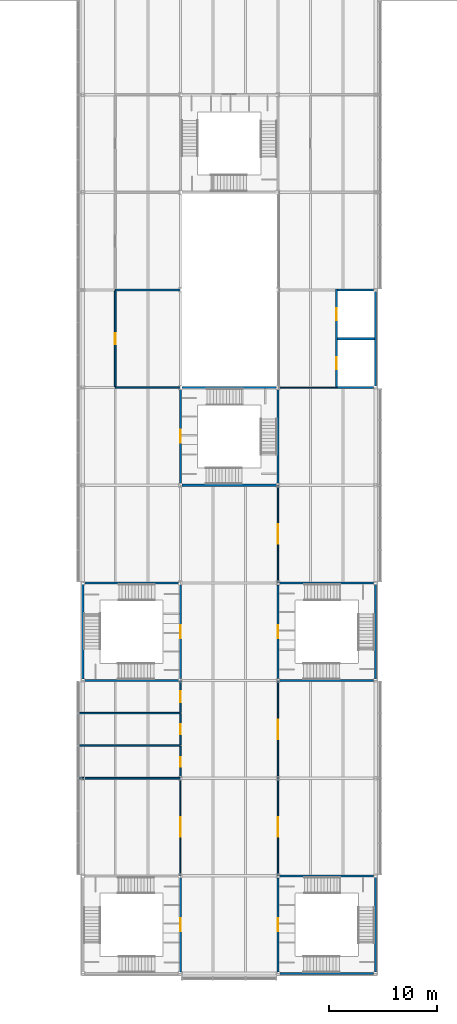
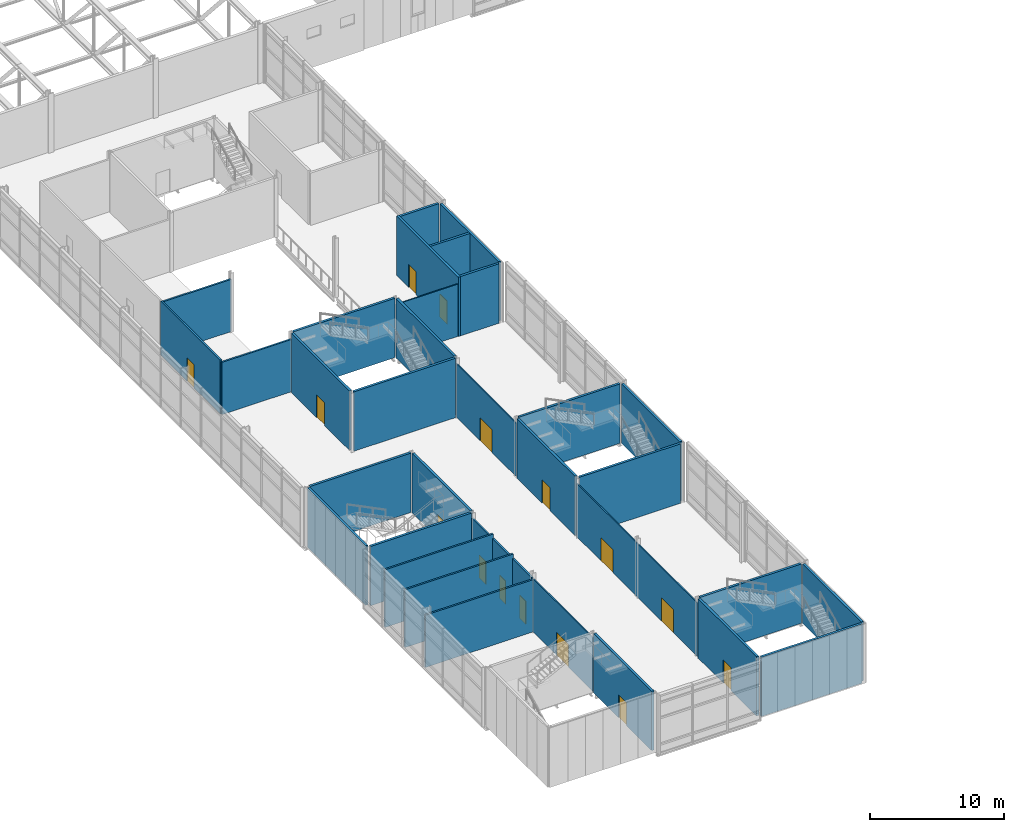
# One storey, part 36 of 53: 35 walls, 15 doors, 15 openings.
"""IFC4 building model written with IfcOpenShell, lengths in metres."""

from ifc_helpers import new_model, si_unit, direction, frame, frame_2d, origin, place, context, subcontext, project, spatial, rectangle, extrude, material, layer, layer_set, type_object, element, fill, save


model = new_model("IFC4")

# Units and contexts
model_context = context("Model", 3, precision=1e-05, world=origin(), true_north=direction((0.0, 1.0)))
body_context = subcontext(model_context, "Body", "Model", "MODEL_VIEW")
ifc_project = project(units=[si_unit("LENGTHUNIT", "METRE"), si_unit("AREAUNIT", "SQUARE_METRE"), si_unit("VOLUMEUNIT", "CUBIC_METRE"), si_unit("PLANEANGLEUNIT", "RADIAN"), si_unit("MASSUNIT", "GRAM", prefix="KILO")], contexts=[model_context])

# Site, building, storey
site_placement = place(None, origin())
site = spatial("IfcSite", under=ifc_project, at=site_placement, CompositionType="ELEMENT")
building_placement = place(site_placement, origin())
building = spatial("IfcBuilding", under=site, at=building_placement, Name="Azimuth Sports and Learning Centre", CompositionType="ELEMENT")
storey_placement = place(building_placement, frame((0.0, 0.0, 10.800048828125)))
storey = spatial("IfcBuildingStorey", under=building, at=storey_placement, Name="L02", CompositionType="ELEMENT", Elevation=10.800048828125)

# Walls
ifc_material_1 = material(Name="Dense masonry blockwork", Category="masonry")
ifc_layer_1 = layer(ifc_material_1, 0.199951171875)
ifc_layer_set_1 = layer_set([ifc_layer_1], Name="Dense masonry blockwork")
wall_type_1 = type_object("IfcWallType", Name="Blockwork wall 200 EI 120", PredefinedType="SOLIDWALL", material=ifc_layer_set_1)
wall_1_placement = place(storey_placement, frame((95.5, 58.5, 0.0), z_axis=(0.0, 0.0, 1.0), x_axis=(1.0, 0.0, 0.0)))
element("IfcWall", 1, at=wall_1_placement, inside=storey, type_object=wall_type_1, Name="SD-STL-1-L02", PredefinedType="SOLIDWALL", context=body_context, shape_type="SweptSolid", body=[
    extrude(rectangle(XDim=3.39990234375, YDim=0.199951171875, at=frame_2d((1.699951171875, 0.0))), origin(), (0.0, 0.0, 1.0), 5.39990234375),
])
ifc_material_2 = material(Name="Gypsum board on steel studs", Category="steel")
ifc_layer_2 = layer(ifc_material_2, 0.10009765625)
ifc_layer_set_2 = layer_set([ifc_layer_2], Name="Gypsum board on steel studs")
wall_type_2 = type_object("IfcWallType", Name="Partition 100 EI 30", PredefinedType="PARTITIONING", material=ifc_layer_set_2)
wall_2_placement = place(storey_placement, frame((90.0, 54.0, 0.0), z_axis=(0.0, 0.0, 1.0), x_axis=(1.0, 0.0, 0.0)))
element("IfcWall", 2, at=wall_2_placement, inside=storey, type_object=wall_type_2, Name="Partition 100 EI 30", PredefinedType="PARTITIONING", context=body_context, shape_type="SweptSolid", body=[
    extrude(rectangle(XDim=5.39990234375, YDim=0.10009765625, at=frame_2d((2.699951171875, 0.0))), origin(), (0.0, 0.0, 1.0), 4.75),
])

# Wall, opening, door
wall_3_placement = place(storey_placement, frame((81.0, 9.0, 0.0), z_axis=(0.0, 0.0, 1.0), x_axis=(0.0, 1.0, 0.0)))
wall_3 = element("IfcWall", 3, at=wall_3_placement, inside=storey, type_object=wall_type_2, Name="Partition 100 EI 30", PredefinedType="PARTITIONING", context=body_context, shape_type="SweptSolid", body=[
    extrude(rectangle(XDim=8.925048828125, YDim=0.10009765625, at=frame_2d((4.46240234375, 0.0))), origin(), (0.0, 0.0, 1.0), 4.849853515625),
])
opening_1_placement = place(wall_3_placement, frame((3.60009765625, 0.0, 0.0)))
opening_1 = element("IfcOpeningElement", 4, at=opening_1_placement, cuts=wall_3, Name="Opening D02-051", PredefinedType="OPENING", context=body_context, shape_type="SweptSolid", body=[
    extrude(rectangle(XDim=1.800048828125, YDim=2.10009765625, at=frame_2d((0.89990234375, 1.050048828125))), frame((0.0, 0.06103515625, 0.0), z_axis=(0.0, -1.0, 0.0), x_axis=(1.0, 0.0, 0.0)), (0.0, 0.0, 1.0), 0.1220703125),
])
ifc_material_3 = material(Name="Timber fire door set", Category="wood")
door_type_1 = type_object("IfcDoorType", Name="Timber door double 1800x2100 FD30S", OperationType="DOUBLE_DOOR_SINGLE_SWING", PredefinedType="DOOR", material=ifc_material_3)
door_1_placement = place(opening_1_placement, origin())
door_1 = element("IfcDoor", 5, at=door_1_placement, inside=storey, type_object=door_type_1, Name="Door D02-051", OperationType="DOUBLE_DOOR_SINGLE_SWING", OverallHeight=2.10009765625, OverallWidth=1.800048828125, PredefinedType="DOOR", context=body_context, shape_type="SweptSolid", body=[
    extrude(rectangle(XDim=1.800048828125, YDim=2.10009765625, at=frame_2d((0.89990234375, 1.050048828125))), frame((0.0, 0.02490234375, 0.0), z_axis=(0.0, -1.0, 0.0), x_axis=(1.0, 0.0, 0.0)), (0.0, 0.0, 1.0), 0.050048828125),
])
fill(opening_1, door_1)

# Wall, openings, doors
wall_4_placement = place(storey_placement, frame((90.0, 9.0, 0.0), z_axis=(0.0, 0.0, 1.0), x_axis=(0.0, 1.0, 0.0)))
wall_4 = element("IfcWall", 6, at=wall_4_placement, inside=storey, type_object=wall_type_2, Name="Partition 100 EI 30", PredefinedType="PARTITIONING", context=body_context, shape_type="SweptSolid", body=[
    extrude(rectangle(XDim=18.0, YDim=0.10009765625, at=frame_2d((9.0, 0.0))), origin(), (0.0, 0.0, 1.0), 4.849853515625),
])
opening_2_placement = place(wall_4_placement, frame((3.60009765625, 0.0, 0.0)))
opening_2 = element("IfcOpeningElement", 7, at=opening_2_placement, cuts=wall_4, Name="Opening D02-052", PredefinedType="OPENING", context=body_context, shape_type="SweptSolid", body=[
    extrude(rectangle(XDim=1.800048828125, YDim=2.10009765625, at=frame_2d((0.89990234375, 1.050048828125))), frame((0.0, 0.06103515625, 0.0), z_axis=(0.0, -1.0, 0.0), x_axis=(1.0, 0.0, 0.0)), (0.0, 0.0, 1.0), 0.1220703125),
])
opening_3_placement = place(wall_4_placement, frame((12.60009765625, 0.0, 0.0)))
opening_3 = element("IfcOpeningElement", 8, at=opening_3_placement, cuts=wall_4, Name="Opening D02-053", PredefinedType="OPENING", context=body_context, shape_type="SweptSolid", body=[
    extrude(rectangle(XDim=1.800048828125, YDim=2.10009765625, at=frame_2d((0.89990234375, 1.050048828125))), frame((0.0, 0.06103515625, 0.0), z_axis=(0.0, -1.0, 0.0), x_axis=(1.0, 0.0, 0.0)), (0.0, 0.0, 1.0), 0.1220703125),
])
door_2_placement = place(opening_2_placement, frame((1.800048828125, 0.0, 0.0), z_axis=(0.0, 0.0, 1.0), x_axis=(-1.0, 0.0, 0.0)))
door_2 = element("IfcDoor", 9, at=door_2_placement, inside=storey, type_object=door_type_1, Name="Door D02-052", OperationType="DOUBLE_DOOR_SINGLE_SWING", OverallHeight=2.10009765625, OverallWidth=1.800048828125, PredefinedType="DOOR", context=body_context, shape_type="SweptSolid", body=[
    extrude(rectangle(XDim=1.800048828125, YDim=2.10009765625, at=frame_2d((0.89990234375, 1.050048828125))), frame((0.0, 0.02490234375, 0.0), z_axis=(0.0, -1.0, 0.0), x_axis=(1.0, 0.0, 0.0)), (0.0, 0.0, 1.0), 0.050048828125),
])
fill(opening_2, door_2)
door_3_placement = place(opening_3_placement, frame((1.800048828125, 0.0, 0.0), z_axis=(0.0, 0.0, 1.0), x_axis=(-1.0, 0.0, 0.0)))
door_3 = element("IfcDoor", 10, at=door_3_placement, inside=storey, type_object=door_type_1, Name="Door D02-053", OperationType="DOUBLE_DOOR_SINGLE_SWING", OverallHeight=2.10009765625, OverallWidth=1.800048828125, PredefinedType="DOOR", context=body_context, shape_type="SweptSolid", body=[
    extrude(rectangle(XDim=1.800048828125, YDim=2.10009765625, at=frame_2d((0.89990234375, 1.050048828125))), frame((0.0, 0.02490234375, 0.0), z_axis=(0.0, -1.0, 0.0), x_axis=(1.0, 0.0, 0.0)), (0.0, 0.0, 1.0), 0.050048828125),
])
fill(opening_3, door_3)

# Wall, opening, door
wall_5_placement = place(storey_placement, frame((90.0, 36.0, 0.0), z_axis=(0.0, 0.0, 1.0), x_axis=(0.0, 1.0, 0.0)))
wall_5 = element("IfcWall", 11, at=wall_5_placement, inside=storey, type_object=wall_type_2, Name="Partition 100 EI 30", PredefinedType="PARTITIONING", context=body_context, shape_type="SweptSolid", body=[
    extrude(rectangle(XDim=9.0, YDim=0.10009765625, at=frame_2d((4.5, 0.0))), origin(), (0.0, 0.0, 1.0), 4.849853515625),
])
opening_4_placement = place(wall_5_placement, frame((3.60009765625, 0.0, 0.0)))
opening_4 = element("IfcOpeningElement", 12, at=opening_4_placement, cuts=wall_5, Name="Opening D02-054", PredefinedType="OPENING", context=body_context, shape_type="SweptSolid", body=[
    extrude(rectangle(XDim=1.800048828125, YDim=2.10009765625, at=frame_2d((0.89990234375, 1.050048828125))), frame((0.0, 0.06103515625, 0.0), z_axis=(0.0, -1.0, 0.0), x_axis=(1.0, 0.0, 0.0)), (0.0, 0.0, 1.0), 0.1220703125),
])
door_4_placement = place(opening_4_placement, frame((1.800048828125, 0.0, 0.0), z_axis=(0.0, 0.0, 1.0), x_axis=(-1.0, 0.0, 0.0)))
door_4 = element("IfcDoor", 13, at=door_4_placement, inside=storey, type_object=door_type_1, Name="Door D02-054", OperationType="DOUBLE_DOOR_SINGLE_SWING", OverallHeight=2.10009765625, OverallWidth=1.800048828125, PredefinedType="DOOR", context=body_context, shape_type="SweptSolid", body=[
    extrude(rectangle(XDim=1.800048828125, YDim=2.10009765625, at=frame_2d((0.89990234375, 1.050048828125))), frame((0.0, 0.02490234375, 0.0), z_axis=(0.0, -1.0, 0.0), x_axis=(1.0, 0.0, 0.0)), (0.0, 0.0, 1.0), 0.050048828125),
])
fill(opening_4, door_4)

# Walls
ifc_material_4 = material(Name="Lightweight blockwork, rendered", Category="masonry")
ifc_layer_3 = layer(ifc_material_4, 0.14990234375)
ifc_layer_set_3 = layer_set([ifc_layer_3], Name="Lightweight blockwork, rendered")
wall_type_3 = type_object("IfcWallType", Name="Partition 150 EI 60", PredefinedType="PARTITIONING", material=ifc_layer_set_3)
wall_6_placement = place(storey_placement, frame((71.699951171875, 18.0, 0.0), z_axis=(0.0, 0.0, 1.0), x_axis=(1.0, 0.0, 0.0)))
element("IfcWall", 14, at=wall_6_placement, inside=storey, type_object=wall_type_3, Name="Partition 150 EI 60", PredefinedType="PARTITIONING", context=body_context, shape_type="SweptSolid", body=[
    extrude(rectangle(XDim=9.300048828125, YDim=0.14990234375, at=frame_2d((4.64990234375, 0.0))), origin(), (0.0, 0.0, 1.0), 4.75),
])
for number, where, z_axis, x_axis, name in (
    (15, (71.699951171875, 21.0, 0.0), (0.0, 0.0, 1.0), (1.0, 0.0, 0.0), "Partition 150 EI 60"),
    (16, (71.699951171875, 24.0, 0.0), (0.0, 0.0, 1.0), (1.0, 0.0, 0.0), "Partition 150 EI 60"),
):
    element("IfcWall", number, at=place(storey_placement, frame(where, z_axis=z_axis, x_axis=x_axis)), inside=storey, type_object=wall_type_3, Name=name, PredefinedType="PARTITIONING", context=body_context, shape_type="SweptSolid", body=[
        extrude(rectangle(XDim=9.300048828125, YDim=0.14990234375, at=frame_2d((4.64990234375, 0.0))), origin(), (0.0, 0.0, 1.0), 5.25),
    ])
for number, where, z_axis, x_axis, name in (
    (17, (75.0, 54.0, 0.0), (0.0, 0.0, 1.0), (1.0, 0.0, 0.0), "Partition 150 EI 60"),
    (18, (75.0, 63.0, 0.0), (0.0, 0.0, 1.0), (1.0, 0.0, 0.0), "Partition 150 EI 60"),
):
    element("IfcWall", number, at=place(storey_placement, frame(where, z_axis=z_axis, x_axis=x_axis)), inside=storey, type_object=wall_type_3, Name=name, PredefinedType="PARTITIONING", context=body_context, shape_type="SweptSolid", body=[
        extrude(rectangle(XDim=6.0, YDim=0.14990234375, at=frame_2d((3.0, 0.0))), origin(), (0.0, 0.0, 1.0), 4.75),
    ])

# Wall, opening, door
wall_7_placement = place(storey_placement, frame((75.0, 54.074951171875, 0.0), z_axis=(0.0, 0.0, 1.0), x_axis=(0.0, 1.0, 0.0)))
wall_7 = element("IfcWall", 19, at=wall_7_placement, inside=storey, type_object=wall_type_3, Name="Partition 150 EI 60", PredefinedType="PARTITIONING", context=body_context, shape_type="SweptSolid", body=[
    extrude(rectangle(XDim=8.85009765625, YDim=0.14990234375, at=frame_2d((4.425048828125, 0.0))), origin(), (0.0, 0.0, 1.0), 4.889892578125),
])
opening_5_placement = place(wall_7_placement, frame((3.925048828125, 0.0, 0.0)))
opening_5 = element("IfcOpeningElement", 20, at=opening_5_placement, cuts=wall_7, Name="Opening D02-055", PredefinedType="OPENING", context=body_context, shape_type="SweptSolid", body=[
    extrude(rectangle(XDim=1.0, YDim=2.10009765625, at=frame_2d((0.5, 1.050048828125))), frame((0.0, 0.0859375, 0.0), z_axis=(0.0, -1.0, 0.0), x_axis=(1.0, 0.0, 0.0)), (0.0, 0.0, 1.0), 0.171875),
])
ifc_material_5 = material(Name="Timber fire door set", Category="wood")
door_type_2 = type_object("IfcDoorType", Name="Timber door single 1000x2100 FD60", OperationType="NOTDEFINED", PredefinedType="DOOR", material=ifc_material_5)
door_5_placement = place(opening_5_placement, frame((1.0, 0.0, 0.0), z_axis=(0.0, 0.0, 1.0), x_axis=(-1.0, 0.0, 0.0)))
door_5 = element("IfcDoor", 21, at=door_5_placement, inside=storey, type_object=door_type_2, Name="Door D02-055", OperationType="SINGLE_SWING_LEFT", OverallHeight=2.10009765625, OverallWidth=1.0, PredefinedType="DOOR", context=body_context, shape_type="SweptSolid", body=[
    extrude(rectangle(XDim=1.0, YDim=2.10009765625, at=frame_2d((0.5, 1.050048828125))), frame((0.0, 0.02490234375, 0.0), z_axis=(0.0, -1.0, 0.0), x_axis=(1.0, 0.0, 0.0)), (0.0, 0.0, 1.0), 0.050048828125),
])
fill(opening_5, door_5)

wall_8_placement = place(storey_placement, frame((81.0, 18.074951171875, 0.0), z_axis=(0.0, 0.0, 1.0), x_axis=(0.0, 1.0, 0.0)))
wall_8 = element("IfcWall", 22, at=wall_8_placement, inside=storey, type_object=wall_type_3, Name="Partition 150 EI 60", PredefinedType="PARTITIONING", context=body_context, shape_type="SweptSolid", body=[
    extrude(rectangle(XDim=2.85009765625, YDim=0.14990234375, at=frame_2d((1.425048828125, 0.0))), origin(), (0.0, 0.0, 1.0), 4.849853515625),
])
opening_6_placement = place(wall_8_placement, frame((0.97509765625, 0.0, 0.0)))
opening_6 = element("IfcOpeningElement", 23, at=opening_6_placement, cuts=wall_8, Name="Opening D02-059", PredefinedType="OPENING", context=body_context, shape_type="SweptSolid", body=[
    extrude(rectangle(XDim=0.89990234375, YDim=2.10009765625, at=frame_2d((0.449951171875, 1.050048828125))), frame((0.0, 0.0859375, 0.0), z_axis=(0.0, -1.0, 0.0), x_axis=(1.0, 0.0, 0.0)), (0.0, 0.0, 1.0), 0.171875),
])
ifc_material_6 = material(Name="Timber fire door set", Category="wood")
door_type_3 = type_object("IfcDoorType", Name="Timber door single 900x2100 FD60", OperationType="NOTDEFINED", PredefinedType="DOOR", material=ifc_material_6)
door_6_placement = place(opening_6_placement, origin())
door_6 = element("IfcDoor", 24, at=door_6_placement, inside=storey, type_object=door_type_3, Name="Door D02-059", OperationType="SINGLE_SWING_LEFT", OverallHeight=2.10009765625, OverallWidth=0.89990234375, PredefinedType="DOOR", context=body_context, shape_type="SweptSolid", body=[
    extrude(rectangle(XDim=0.89990234375, YDim=2.10009765625, at=frame_2d((0.449951171875, 1.050048828125))), frame((0.0, 0.02490234375, 0.0), z_axis=(0.0, -1.0, 0.0), x_axis=(1.0, 0.0, 0.0)), (0.0, 0.0, 1.0), 0.050048828125),
])
fill(opening_6, door_6)

wall_9_placement = place(storey_placement, frame((81.0, 21.074951171875, 0.0), z_axis=(0.0, 0.0, 1.0), x_axis=(0.0, 1.0, 0.0)))
wall_9 = element("IfcWall", 25, at=wall_9_placement, inside=storey, type_object=wall_type_3, Name="Partition 150 EI 60", PredefinedType="PARTITIONING", context=body_context, shape_type="SweptSolid", body=[
    extrude(rectangle(XDim=2.85009765625, YDim=0.14990234375, at=frame_2d((1.425048828125, 0.0))), origin(), (0.0, 0.0, 1.0), 4.849853515625),
])
opening_7_placement = place(wall_9_placement, frame((0.97509765625, 0.0, 0.0)))
opening_7 = element("IfcOpeningElement", 26, at=opening_7_placement, cuts=wall_9, Name="Opening D02-060", PredefinedType="OPENING", context=body_context, shape_type="SweptSolid", body=[
    extrude(rectangle(XDim=0.89990234375, YDim=2.10009765625, at=frame_2d((0.449951171875, 1.050048828125))), frame((0.0, 0.0859375, 0.0), z_axis=(0.0, -1.0, 0.0), x_axis=(1.0, 0.0, 0.0)), (0.0, 0.0, 1.0), 0.171875),
])
door_7_placement = place(opening_7_placement, origin())
door_7 = element("IfcDoor", 27, at=door_7_placement, inside=storey, type_object=door_type_3, Name="Door D02-060", OperationType="SINGLE_SWING_LEFT", OverallHeight=2.10009765625, OverallWidth=0.89990234375, PredefinedType="DOOR", context=body_context, shape_type="SweptSolid", body=[
    extrude(rectangle(XDim=0.89990234375, YDim=2.10009765625, at=frame_2d((0.449951171875, 1.050048828125))), frame((0.0, 0.02490234375, 0.0), z_axis=(0.0, -1.0, 0.0), x_axis=(1.0, 0.0, 0.0)), (0.0, 0.0, 1.0), 0.050048828125),
])
fill(opening_7, door_7)

wall_10_placement = place(storey_placement, frame((81.0, 24.074951171875, 0.0), z_axis=(0.0, 0.0, 1.0), x_axis=(0.0, 1.0, 0.0)))
wall_10 = element("IfcWall", 28, at=wall_10_placement, inside=storey, type_object=wall_type_3, Name="Partition 150 EI 60", PredefinedType="PARTITIONING", context=body_context, shape_type="SweptSolid", body=[
    extrude(rectangle(XDim=2.925048828125, YDim=0.14990234375, at=frame_2d((1.46240234375, 0.0))), origin(), (0.0, 0.0, 1.0), 4.849853515625),
])
opening_8_placement = place(wall_10_placement, frame((0.925048828125, 0.0, 0.0)))
opening_8 = element("IfcOpeningElement", 29, at=opening_8_placement, cuts=wall_10, Name="Opening D02-061", PredefinedType="OPENING", context=body_context, shape_type="SweptSolid", body=[
    extrude(rectangle(XDim=1.0, YDim=2.10009765625, at=frame_2d((0.5, 1.050048828125))), frame((0.0, 0.0859375, 0.0), z_axis=(0.0, -1.0, 0.0), x_axis=(1.0, 0.0, 0.0)), (0.0, 0.0, 1.0), 0.171875),
])
door_8_placement = place(opening_8_placement, origin())
door_8 = element("IfcDoor", 30, at=door_8_placement, inside=storey, type_object=door_type_2, Name="Door D02-061", OperationType="SINGLE_SWING_LEFT", OverallHeight=2.10009765625, OverallWidth=1.0, PredefinedType="DOOR", context=body_context, shape_type="SweptSolid", body=[
    extrude(rectangle(XDim=1.0, YDim=2.10009765625, at=frame_2d((0.5, 1.050048828125))), frame((0.0, 0.02490234375, 0.0), z_axis=(0.0, -1.0, 0.0), x_axis=(1.0, 0.0, 0.0)), (0.0, 0.0, 1.0), 0.050048828125),
])
fill(opening_8, door_8)

ifc_material_7 = material(Name="Concrete C40/50", Category="concrete")
ifc_layer_4 = layer(ifc_material_7, 0.199951171875)
ifc_layer_set_4 = layer_set([ifc_layer_4], Name="Concrete C40/50")
wall_type_4 = type_object("IfcWallType", Name="RC cell wall 200 EI 120", PredefinedType="SHEAR", material=ifc_layer_set_4)
wall_11_placement = place(storey_placement, frame((81.0, 0.14990234375, 0.0), z_axis=(0.0, 0.0, 1.0), x_axis=(0.0, 1.0, 0.0)))
wall_11 = element("IfcWall", 31, at=wall_11_placement, inside=storey, type_object=wall_type_4, Name="CE-ST1-E-L02", PredefinedType="SHEAR", context=body_context, shape_type="SweptSolid", body=[
    extrude(rectangle(XDim=8.670166015625, YDim=0.199951171875, at=frame_2d((4.3349609375, 0.0))), origin(), (0.0, 0.0, 1.0), 5.39990234375),
])
opening_9_placement = place(wall_11_placement, frame((3.75, 0.0, 0.0)))
opening_9 = element("IfcOpeningElement", 32, at=opening_9_placement, cuts=wall_11, Name="Opening D02-013", PredefinedType="OPENING", context=body_context, shape_type="SweptSolid", body=[
    extrude(rectangle(XDim=1.199951171875, YDim=2.10009765625, at=frame_2d((0.60009765625, 1.050048828125))), frame((0.0, 0.11083984375, 0.0), z_axis=(0.0, -1.0, 0.0), x_axis=(1.0, 0.0, 0.0)), (0.0, 0.0, 1.0), 0.221923828125),
])
ifc_material_8 = material(Name="Steel", Category="steel")
door_type_4 = type_object("IfcDoorType", Name="Stair fire door 1200 x 2100", OperationType="NOTDEFINED", PredefinedType="DOOR", material=ifc_material_8)
door_9_placement = place(opening_9_placement, frame((1.199951171875, 0.0, 0.0), z_axis=(0.0, 0.0, 1.0), x_axis=(-1.0, 0.0, 0.0)))
door_9 = element("IfcDoor", 33, at=door_9_placement, inside=storey, type_object=door_type_4, Name="Stair door ST1 L02", OperationType="SINGLE_SWING_LEFT", OverallHeight=2.10009765625, OverallWidth=1.199951171875, PredefinedType="DOOR", context=body_context, shape_type="SweptSolid", body=[
    extrude(rectangle(XDim=1.199951171875, YDim=2.10009765625, at=frame_2d((0.60009765625, 1.050048828125))), frame((0.0, 0.02490234375, 0.0), z_axis=(0.0, -1.0, 0.0), x_axis=(1.0, 0.0, 0.0)), (0.0, 0.0, 1.0), 0.050048828125),
])
fill(opening_9, door_9)

# Wall
wall_12_placement = place(storey_placement, frame((90.14990234375, 9.0, 0.0), z_axis=(0.0, 0.0, 1.0), x_axis=(1.0, 0.0, 0.0)))
element("IfcWall", 34, at=wall_12_placement, inside=storey, type_object=wall_type_4, Name="CE-ST2-N-L02", PredefinedType="SHEAR", context=body_context, shape_type="SweptSolid", body=[
    extrude(rectangle(XDim=8.670166015625, YDim=0.199951171875, at=frame_2d((4.3349609375, 0.0))), origin(), (0.0, 0.0, 1.0), 5.39990234375),
])

# Wall, opening, door
wall_13_placement = place(storey_placement, frame((90.0, 0.14990234375, 0.0), z_axis=(0.0, 0.0, 1.0), x_axis=(0.0, 1.0, 0.0)))
wall_13 = element("IfcWall", 35, at=wall_13_placement, inside=storey, type_object=wall_type_4, Name="CE-ST2-W-L02", PredefinedType="SHEAR", context=body_context, shape_type="SweptSolid", body=[
    extrude(rectangle(XDim=8.670166015625, YDim=0.199951171875, at=frame_2d((4.3349609375, 0.0))), origin(), (0.0, 0.0, 1.0), 5.39990234375),
])
opening_10_placement = place(wall_13_placement, frame((3.75, 0.0, 0.0)))
opening_10 = element("IfcOpeningElement", 36, at=opening_10_placement, cuts=wall_13, Name="Opening D02-014", PredefinedType="OPENING", context=body_context, shape_type="SweptSolid", body=[
    extrude(rectangle(XDim=1.199951171875, YDim=2.10009765625, at=frame_2d((0.60009765625, 1.050048828125))), frame((0.0, 0.11083984375, 0.0), z_axis=(0.0, -1.0, 0.0), x_axis=(1.0, 0.0, 0.0)), (0.0, 0.0, 1.0), 0.221923828125),
])
door_10_placement = place(opening_10_placement, origin())
door_10 = element("IfcDoor", 37, at=door_10_placement, inside=storey, type_object=door_type_4, Name="Stair door ST2 L02", OperationType="SINGLE_SWING_RIGHT", OverallHeight=2.10009765625, OverallWidth=1.199951171875, PredefinedType="DOOR", context=body_context, shape_type="SweptSolid", body=[
    extrude(rectangle(XDim=1.199951171875, YDim=2.10009765625, at=frame_2d((0.60009765625, 1.050048828125))), frame((0.0, 0.02490234375, 0.0), z_axis=(0.0, -1.0, 0.0), x_axis=(1.0, 0.0, 0.0)), (0.0, 0.0, 1.0), 0.050048828125),
])
fill(opening_10, door_10)

# Walls
for number, where, z_axis, x_axis, name in (
    (38, (72.179931640625, 27.0, 0.0), (0.0, 0.0, 1.0), (1.0, 0.0, 0.0), "CE-ST3-S-L02"),
    (39, (72.179931640625, 36.0, 0.0), (0.0, 0.0, 1.0), (1.0, 0.0, 0.0), "CE-ST3-N-L02"),
):
    element("IfcWall", number, at=place(storey_placement, frame(where, z_axis=z_axis, x_axis=x_axis)), inside=storey, type_object=wall_type_4, Name=name, PredefinedType="SHEAR", context=body_context, shape_type="SweptSolid", body=[
        extrude(rectangle(XDim=8.670166015625, YDim=0.199951171875, at=frame_2d((4.3349609375, 0.0))), origin(), (0.0, 0.0, 1.0), 5.39990234375),
    ])

# Wall, opening, door
wall_14_placement = place(storey_placement, frame((81.0, 27.179931640625, 0.0), z_axis=(0.0, 0.0, 1.0), x_axis=(0.0, 1.0, 0.0)))
wall_14 = element("IfcWall", 40, at=wall_14_placement, inside=storey, type_object=wall_type_4, Name="CE-ST3-E-L02", PredefinedType="SHEAR", context=body_context, shape_type="SweptSolid", body=[
    extrude(rectangle(XDim=8.64013671875, YDim=0.199951171875, at=frame_2d((4.320068359375, 0.0))), origin(), (0.0, 0.0, 1.0), 5.39990234375),
])
opening_11_placement = place(wall_14_placement, frame((3.719970703125, 0.0, 0.0)))
opening_11 = element("IfcOpeningElement", 41, at=opening_11_placement, cuts=wall_14, Name="Opening D02-015", PredefinedType="OPENING", context=body_context, shape_type="SweptSolid", body=[
    extrude(rectangle(XDim=1.199951171875, YDim=2.10009765625, at=frame_2d((0.60009765625, 1.050048828125))), frame((0.0, 0.11083984375, 0.0), z_axis=(0.0, -1.0, 0.0), x_axis=(1.0, 0.0, 0.0)), (0.0, 0.0, 1.0), 0.221923828125),
])
door_11_placement = place(opening_11_placement, frame((1.199951171875, 0.0, 0.0), z_axis=(0.0, 0.0, 1.0), x_axis=(-1.0, 0.0, 0.0)))
door_11 = element("IfcDoor", 42, at=door_11_placement, inside=storey, type_object=door_type_4, Name="Stair door ST3 L02", OperationType="SINGLE_SWING_RIGHT", OverallHeight=2.10009765625, OverallWidth=1.199951171875, PredefinedType="DOOR", context=body_context, shape_type="SweptSolid", body=[
    extrude(rectangle(XDim=1.199951171875, YDim=2.10009765625, at=frame_2d((0.60009765625, 1.050048828125))), frame((0.0, 0.02490234375, 0.0), z_axis=(0.0, -1.0, 0.0), x_axis=(1.0, 0.0, 0.0)), (0.0, 0.0, 1.0), 0.050048828125),
])
fill(opening_11, door_11)

# Walls
for number, where, z_axis, x_axis, name in (
    (43, (90.14990234375, 27.0, 0.0), (0.0, 0.0, 1.0), (1.0, 0.0, 0.0), "CE-ST4-S-L02"),
    (44, (90.14990234375, 36.0, 0.0), (0.0, 0.0, 1.0), (1.0, 0.0, 0.0), "CE-ST4-N-L02"),
):
    element("IfcWall", number, at=place(storey_placement, frame(where, z_axis=z_axis, x_axis=x_axis)), inside=storey, type_object=wall_type_4, Name=name, PredefinedType="SHEAR", context=body_context, shape_type="SweptSolid", body=[
        extrude(rectangle(XDim=8.670166015625, YDim=0.199951171875, at=frame_2d((4.3349609375, 0.0))), origin(), (0.0, 0.0, 1.0), 5.39990234375),
    ])

# Wall, opening, door
wall_15_placement = place(storey_placement, frame((90.0, 27.179931640625, 0.0), z_axis=(0.0, 0.0, 1.0), x_axis=(0.0, 1.0, 0.0)))
wall_15 = element("IfcWall", 45, at=wall_15_placement, inside=storey, type_object=wall_type_4, Name="CE-ST4-W-L02", PredefinedType="SHEAR", context=body_context, shape_type="SweptSolid", body=[
    extrude(rectangle(XDim=8.64013671875, YDim=0.199951171875, at=frame_2d((4.320068359375, 0.0))), origin(), (0.0, 0.0, 1.0), 5.39990234375),
])
opening_12_placement = place(wall_15_placement, frame((3.719970703125, 0.0, 0.0)))
opening_12 = element("IfcOpeningElement", 46, at=opening_12_placement, cuts=wall_15, Name="Opening D02-016", PredefinedType="OPENING", context=body_context, shape_type="SweptSolid", body=[
    extrude(rectangle(XDim=1.199951171875, YDim=2.10009765625, at=frame_2d((0.60009765625, 1.050048828125))), frame((0.0, 0.11083984375, 0.0), z_axis=(0.0, -1.0, 0.0), x_axis=(1.0, 0.0, 0.0)), (0.0, 0.0, 1.0), 0.221923828125),
])
door_12_placement = place(opening_12_placement, origin())
door_12 = element("IfcDoor", 47, at=door_12_placement, inside=storey, type_object=door_type_4, Name="Stair door ST4 L02", OperationType="SINGLE_SWING_LEFT", OverallHeight=2.10009765625, OverallWidth=1.199951171875, PredefinedType="DOOR", context=body_context, shape_type="SweptSolid", body=[
    extrude(rectangle(XDim=1.199951171875, YDim=2.10009765625, at=frame_2d((0.60009765625, 1.050048828125))), frame((0.0, 0.02490234375, 0.0), z_axis=(0.0, -1.0, 0.0), x_axis=(1.0, 0.0, 0.0)), (0.0, 0.0, 1.0), 0.050048828125),
])
fill(opening_12, door_12)

# Walls
for number, where, z_axis, x_axis, name in (
    (48, (81.14990234375, 45.0, 0.0), (0.0, 0.0, 1.0), (1.0, 0.0, 0.0), "CE-STC-S-L02"),
    (49, (81.14990234375, 54.0, 0.0), (0.0, 0.0, 1.0), (1.0, 0.0, 0.0), "CE-STC-N-L02"),
):
    element("IfcWall", number, at=place(storey_placement, frame(where, z_axis=z_axis, x_axis=x_axis)), inside=storey, type_object=wall_type_4, Name=name, PredefinedType="SHEAR", context=body_context, shape_type="SweptSolid", body=[
        extrude(rectangle(XDim=8.7001953125, YDim=0.199951171875, at=frame_2d((4.35009765625, 0.0))), origin(), (0.0, 0.0, 1.0), 5.39990234375),
    ])

# Wall, opening, door
wall_16_placement = place(storey_placement, frame((81.0, 45.179931640625, 0.0), z_axis=(0.0, 0.0, 1.0), x_axis=(0.0, 1.0, 0.0)))
wall_16 = element("IfcWall", 50, at=wall_16_placement, inside=storey, type_object=wall_type_4, Name="CE-STC-W-L02", PredefinedType="SHEAR", context=body_context, shape_type="SweptSolid", body=[
    extrude(rectangle(XDim=8.64013671875, YDim=0.199951171875, at=frame_2d((4.320068359375, 0.0))), origin(), (0.0, 0.0, 1.0), 5.39990234375),
])
opening_13_placement = place(wall_16_placement, frame((3.719970703125, 0.0, 0.0)))
opening_13 = element("IfcOpeningElement", 51, at=opening_13_placement, cuts=wall_16, Name="Opening D02-017", PredefinedType="OPENING", context=body_context, shape_type="SweptSolid", body=[
    extrude(rectangle(XDim=1.199951171875, YDim=2.10009765625, at=frame_2d((0.60009765625, 1.050048828125))), frame((0.0, 0.11083984375, 0.0), z_axis=(0.0, -1.0, 0.0), x_axis=(1.0, 0.0, 0.0)), (0.0, 0.0, 1.0), 0.221923828125),
])
door_13_placement = place(opening_13_placement, origin())
door_13 = element("IfcDoor", 52, at=door_13_placement, inside=storey, type_object=door_type_4, Name="Stair door STC L02", OperationType="SINGLE_SWING_LEFT", OverallHeight=2.10009765625, OverallWidth=1.199951171875, PredefinedType="DOOR", context=body_context, shape_type="SweptSolid", body=[
    extrude(rectangle(XDim=1.199951171875, YDim=2.10009765625, at=frame_2d((0.60009765625, 1.050048828125))), frame((0.0, 0.02490234375, 0.0), z_axis=(0.0, -1.0, 0.0), x_axis=(1.0, 0.0, 0.0)), (0.0, 0.0, 1.0), 0.050048828125),
])
fill(opening_13, door_13)

# Walls
wall_17_placement = place(storey_placement, frame((90.0, 45.179931640625, 0.0), z_axis=(0.0, 0.0, 1.0), x_axis=(0.0, 1.0, 0.0)))
element("IfcWall", 53, at=wall_17_placement, inside=storey, type_object=wall_type_4, Name="CE-STC-E-L02", PredefinedType="SHEAR", context=body_context, shape_type="SweptSolid", body=[
    extrude(rectangle(XDim=8.64013671875, YDim=0.199951171875, at=frame_2d((4.320068359375, 0.0))), origin(), (0.0, 0.0, 1.0), 5.39990234375),
])
for number, where, z_axis, x_axis, name in (
    (54, (95.5, 54.0, 0.0), (0.0, 0.0, 1.0), (1.0, 0.0, 0.0), "CE-STL-S-L02"),
    (55, (95.5, 63.0, 0.0), (0.0, 0.0, 1.0), (1.0, 0.0, 0.0), "CE-STL-N-L02"),
):
    element("IfcWall", number, at=place(storey_placement, frame(where, z_axis=z_axis, x_axis=x_axis)), inside=storey, type_object=wall_type_4, Name=name, PredefinedType="SHEAR", context=body_context, shape_type="SweptSolid", body=[
        extrude(rectangle(XDim=3.320068359375, YDim=0.199951171875, at=frame_2d((1.66015625, 0.0))), origin(), (0.0, 0.0, 1.0), 5.39990234375),
    ])

# Wall, openings, doors
wall_18_placement = place(storey_placement, frame((95.39990234375, 53.89990234375, 0.0), z_axis=(0.0, 0.0, 1.0), x_axis=(0.0, 1.0, 0.0)))
wall_18 = element("IfcWall", 56, at=wall_18_placement, inside=storey, type_object=wall_type_4, Name="CE-STL-W-L02", PredefinedType="SHEAR", context=body_context, shape_type="SweptSolid", body=[
    extrude(rectangle(XDim=9.2001953125, YDim=0.199951171875, at=frame_2d((4.60009765625, 0.0))), origin(), (0.0, 0.0, 1.0), 5.39990234375),
])
opening_14_placement = place(wall_18_placement, frame((1.800048828125, 0.0, 0.0)))
opening_14 = element("IfcOpeningElement", 57, at=opening_14_placement, cuts=wall_18, Name="Opening D02-029", PredefinedType="OPENING", context=body_context, shape_type="SweptSolid", body=[
    extrude(rectangle(XDim=1.10009765625, YDim=2.10009765625, at=frame_2d((0.550048828125, 1.050048828125))), frame((0.0, 0.11083984375, 0.0), z_axis=(0.0, -1.0, 0.0), x_axis=(1.0, 0.0, 0.0)), (0.0, 0.0, 1.0), 0.221923828125),
])
opening_15_placement = place(wall_18_placement, frame((6.300048828125, 0.0, 0.0)))
opening_15 = element("IfcOpeningElement", 58, at=opening_15_placement, cuts=wall_18, Name="Opening D02-030", PredefinedType="OPENING", context=body_context, shape_type="SweptSolid", body=[
    extrude(rectangle(XDim=1.10009765625, YDim=2.10009765625, at=frame_2d((0.550048828125, 1.050048828125))), frame((0.0, 0.11083984375, 0.0), z_axis=(0.0, -1.0, 0.0), x_axis=(1.0, 0.0, 0.0)), (0.0, 0.0, 1.0), 0.221923828125),
])
ifc_material_9 = material(Name="Stainless steel", Category="steel")
door_type_5 = type_object("IfcDoorType", Name="Lift landing door 1100 x 2100", OperationType="DOUBLE_DOOR_SLIDING", PredefinedType="DOOR", material=ifc_material_9)
door_14_placement = place(opening_14_placement, origin())
door_14 = element("IfcDoor", 59, at=door_14_placement, inside=storey, type_object=door_type_5, Name="Landing door LS1 L02", OperationType="DOUBLE_DOOR_SLIDING", OverallHeight=2.10009765625, OverallWidth=1.10009765625, PredefinedType="DOOR", context=body_context, shape_type="SweptSolid", body=[
    extrude(rectangle(XDim=1.10009765625, YDim=2.10009765625, at=frame_2d((0.550048828125, 1.050048828125))), frame((0.0, 0.02490234375, 0.0), z_axis=(0.0, -1.0, 0.0), x_axis=(1.0, 0.0, 0.0)), (0.0, 0.0, 1.0), 0.050048828125),
])
fill(opening_14, door_14)
door_15_placement = place(opening_15_placement, origin())
door_15 = element("IfcDoor", 60, at=door_15_placement, inside=storey, type_object=door_type_5, Name="Landing door LS2 L02", OperationType="DOUBLE_DOOR_SLIDING", OverallHeight=2.10009765625, OverallWidth=1.10009765625, PredefinedType="DOOR", context=body_context, shape_type="SweptSolid", body=[
    extrude(rectangle(XDim=1.10009765625, YDim=2.10009765625, at=frame_2d((0.550048828125, 1.050048828125))), frame((0.0, 0.02490234375, 0.0), z_axis=(0.0, -1.0, 0.0), x_axis=(1.0, 0.0, 0.0)), (0.0, 0.0, 1.0), 0.050048828125),
])
fill(opening_15, door_15)

# Walls
ifc_material_10 = material(Name="Concrete C40/50", Category="concrete")
ifc_layer_5 = layer(ifc_material_10, 0.199951171875)
ifc_layer_set_5 = layer_set([ifc_layer_5], Name="Concrete C40/50")
wall_type_5 = type_object("IfcWallType", Name="RC external cell wall 200 EI 120", PredefinedType="SHEAR", material=ifc_layer_set_5)
wall_19_placement = place(storey_placement, frame((90.179931640625, 0.0, 0.0), z_axis=(0.0, 0.0, 1.0), x_axis=(1.0, 0.0, 0.0)))
element("IfcWall", 61, at=wall_19_placement, inside=storey, type_object=wall_type_5, Name="CE-ST2-S-L02", PredefinedType="SHEAR", context=body_context, shape_type="SweptSolid", body=[
    extrude(rectangle(XDim=8.64013671875, YDim=0.199951171875, at=frame_2d((4.320068359375, 0.0))), origin(), (0.0, 0.0, 1.0), 5.39990234375),
])
for number, where, z_axis, x_axis, name in (
    (62, (99.0, 0.14990234375, 0.0), (0.0, 0.0, 1.0), (0.0, 1.0, 0.0), "CE-ST2-E-L02"),
    (63, (72.0, 27.14990234375, 0.0), (0.0, 0.0, 1.0), (0.0, 1.0, 0.0), "CE-ST3-W-L02"),
    (64, (99.0, 27.14990234375, 0.0), (0.0, 0.0, 1.0), (0.0, 1.0, 0.0), "CE-ST4-E-L02"),
    (65, (99.0, 54.14990234375, 0.0), (0.0, 0.0, 1.0), (0.0, 1.0, 0.0), "CE-STL-E-L02"),
):
    element("IfcWall", number, at=place(storey_placement, frame(where, z_axis=z_axis, x_axis=x_axis)), inside=storey, type_object=wall_type_5, Name=name, PredefinedType="SHEAR", context=body_context, shape_type="SweptSolid", body=[
        extrude(rectangle(XDim=8.7001953125, YDim=0.199951171875, at=frame_2d((4.35009765625, 0.0))), origin(), (0.0, 0.0, 1.0), 5.39990234375),
    ])

save(model, "model.ifc")
